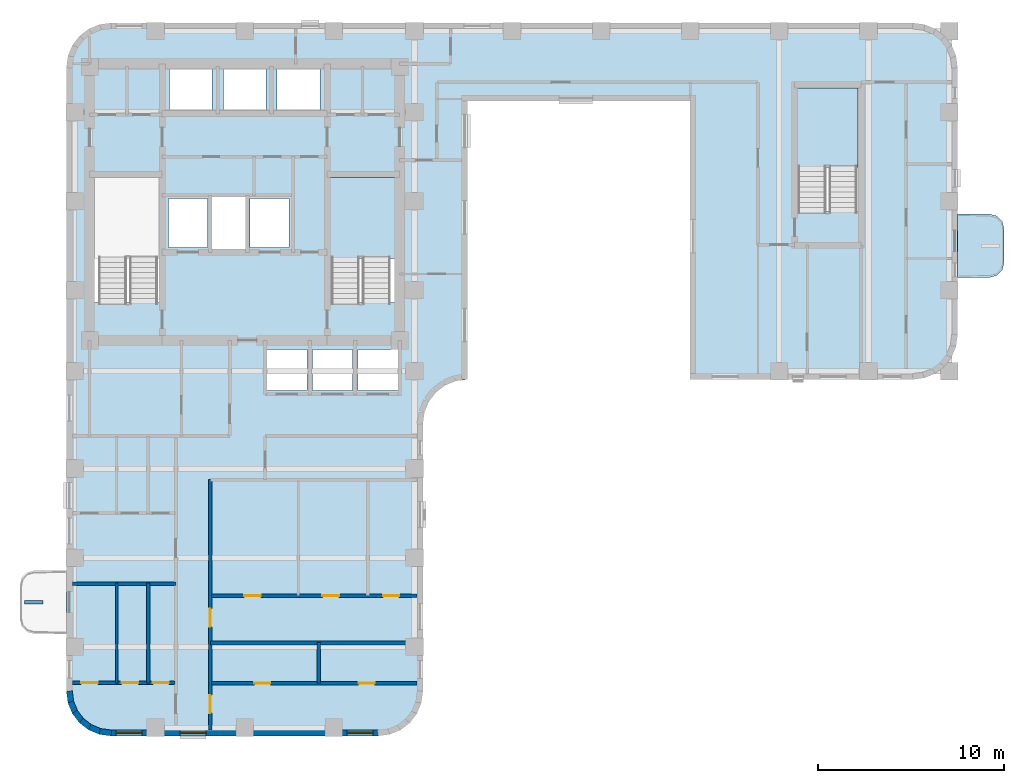
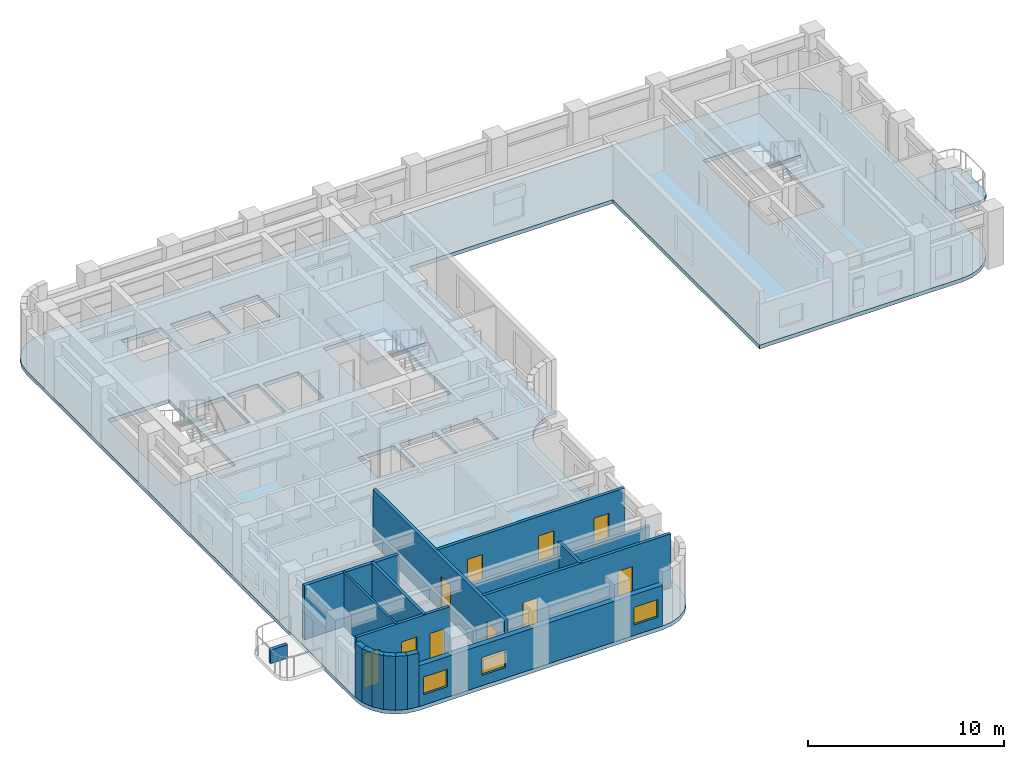
# One storey, part 2 of 10: 17 walls, 10 doors, 4 slabs, 3 windows, 13 openings, 2 elements without a shape of their own.
"""IFC4 building model written with IfcOpenShell, lengths in metres."""

from ifc_helpers import new_model, si_unit, direction, frame, frame_2d, origin, place, context, subcontext, project, spatial, polyline, rectangle, outline, extrude, material, layer, layer_set, type_object, element, fill, aggregate, save


model = new_model("IFC4")

# Units and contexts
model_context = context("Model", 3, precision=1e-05, world=origin(), true_north=direction((0.0, 1.0)))
body_context = subcontext(model_context, "Body", "Model", "MODEL_VIEW")
ifc_project = project(units=[si_unit("LENGTHUNIT", "METRE"), si_unit("AREAUNIT", "SQUARE_METRE"), si_unit("VOLUMEUNIT", "CUBIC_METRE"), si_unit("PLANEANGLEUNIT", "RADIAN"), si_unit("MASSUNIT", "GRAM", prefix="KILO")], contexts=[model_context])

# Site, building, storey
site_placement = place(None, origin())
site = spatial("IfcSite", under=ifc_project, at=site_placement, CompositionType="ELEMENT")
building_placement = place(site_placement, origin())
building = spatial("IfcBuilding", under=site, at=building_placement, Name="Orvandelia Arch Residences", CompositionType="ELEMENT")
storey_placement = place(building_placement, frame((0.0, 0.0, 179.199951171875)))
storey = spatial("IfcBuildingStorey", under=building, at=storey_placement, Name="L47", CompositionType="ELEMENT", Elevation=179.199951171875)

# Slab
ifc_material_1 = material(Name="Precast concrete C40/50", Category="concrete")
ifc_layer_1 = layer(ifc_material_1, 0.219970703125, Name="Precast concrete C40/50", Category="concrete")
ifc_layer_set_1 = layer_set([ifc_layer_1], Name="Precast concrete C40/50")
slab_type_1 = type_object("IfcSlabType", Name="SLB-BAL-220", PredefinedType="USERDEFINED", material=ifc_layer_set_1)
slab_1_placement = place(storey_placement, frame((0.0, 0.0, -0.219970703125)))
element("IfcSlab", 1, at=slab_1_placement, inside=storey, type_object=slab_type_1, Name="Tree Balcony Cantilever Slab BAL-L47-E1", ObjectType="BALCONY", PredefinedType="USERDEFINED", context=body_context, shape_type="SweptSolid", body=[
    extrude(outline(polyline([(52.800048828125, 37.699951171875), (52.800048828125, 34.300048828125), (54.550048828125, 34.300048828125), (54.925048828125, 34.400390625), (55.199462890625, 34.675048828125), (55.300048828125, 35.050048828125), (55.300048828125, 36.949951171875), (55.199462890625, 37.324951171875), (54.925048828125, 37.599609375), (54.550048828125, 37.699951171875), (52.800048828125, 37.699951171875)])), origin(), (0.0, 0.0, 1.0), 0.219970703125),
])

# Stair, slab
ifc_material_2 = material(Name="Concrete C40/50", Category="concrete")
stair_type = type_object("IfcStairType", Name="STAIR-RC-DOGLEG", PredefinedType="HALF_TURN_STAIR", material=ifc_material_2)
stair_1_placement = place(storey_placement, origin())
stair_1 = element("IfcStair", 2, at=stair_1_placement, inside=storey, type_object=stair_type, Name="L47 Protected Exit Stair ST-2", PredefinedType="HALF_TURN_STAIR")
ifc_layer_2 = layer(ifc_material_2, 0.219970703125, Name="Concrete C40/50", Category="concrete")
ifc_layer_set_2 = layer_set([ifc_layer_2], Name="Concrete C40/50")
slab_type_2 = type_object("IfcSlabType", Name="SLB-LANDING-220", PredefinedType="LANDING", material=ifc_layer_set_2)
slab_2_placement = place(storey_placement, frame((0.0, 0.0, 1.60009765625)))
slab_2 = element("IfcSlab", 3, at=slab_2_placement, type_object=slab_type_2, Name="ST-2 landing 1", PredefinedType="LANDING", context=body_context, shape_type="SweptSolid", body=[
    extrude(outline(polyline([(22.5400390625, 35.31005859375), (22.5400390625, 39.68994140625), (19.0, 39.68994140625), (19.0, 35.31005859375), (22.5400390625, 35.31005859375)])), origin(), (0.0, 0.0, 1.0), 0.199951171875),
])
aggregate(stair_1, [slab_2])

stair_2_placement = place(storey_placement, origin())
stair_2 = element("IfcStair", 4, at=stair_2_placement, inside=storey, type_object=stair_type, Name="L47 East Wing Exit Stair ST-3", PredefinedType="HALF_TURN_STAIR")
slab_3_placement = place(storey_placement, frame((0.0, 0.0, 1.60009765625)))
slab_3 = element("IfcSlab", 5, at=slab_3_placement, type_object=slab_type_2, Name="ST-3 landing 1", PredefinedType="LANDING", context=body_context, shape_type="SweptSolid", body=[
    extrude(outline(polyline([(47.43994140625, 40.2099609375), (47.43994140625, 44.5), (44.179931640625, 44.5), (44.179931640625, 40.2099609375), (47.43994140625, 40.2099609375)])), origin(), (0.0, 0.0, 1.0), 0.199951171875),
])
aggregate(stair_2, [slab_3])

# Slab
ifc_layer_3 = layer(ifc_material_2, 0.239990234375, Name="Concrete C40/50", Category="concrete")
ifc_layer_set_3 = layer_set([ifc_layer_3], Name="Concrete C40/50")
slab_type_3 = type_object("IfcSlabType", Name="SLB-TWR-240", PredefinedType="FLOOR", material=ifc_layer_set_3)
slab_4_placement = place(storey_placement, frame((0.0, 0.0, -0.239990234375)))
element("IfcSlab", 6, at=slab_4_placement, inside=storey, type_object=slab_type_3, Name="Structural Floor Slab L47-1", PredefinedType="FLOOR", context=body_context, shape_type="SweptSolid", body=[
    extrude(outline(polyline([(4.800048828125, 12.0), (4.8818359375, 11.37890625), (5.12158203125, 10.800048828125), (5.5029296875, 10.302978515625), (6.0, 9.92138671875), (6.578857421875, 9.681884765625), (7.199951171875, 9.60009765625), (21.60009765625, 9.60009765625), (22.22119140625, 9.681884765625), (22.800048828125, 9.92138671875), (23.297119140625, 10.302978515625), (23.678466796875, 10.800048828125), (23.918212890625, 11.37890625), (24.0, 12.0), (24.0, 26.39990234375), (24.081787109375, 27.021240234375), (24.321533203125, 27.60009765625), (24.702880859375, 28.09716796875), (25.199951171875, 28.478515625), (25.77880859375, 28.71826171875), (26.39990234375, 28.800048828125), (26.39990234375, 43.800048828125), (38.39990234375, 43.800048828125), (38.39990234375, 28.800048828125), (50.39990234375, 28.800048828125), (51.021240234375, 28.8818359375), (51.60009765625, 29.12158203125), (52.09716796875, 29.5029296875), (52.478515625, 30.0), (52.71826171875, 30.578857421875), (52.800048828125, 31.199951171875), (52.800048828125, 45.60009765625), (52.71826171875, 46.22119140625), (52.478515625, 46.800048828125), (52.09716796875, 47.297119140625), (51.60009765625, 47.678466796875), (51.021240234375, 47.918212890625), (50.39990234375, 48.0), (7.199951171875, 48.0), (6.578857421875, 47.918212890625), (6.0, 47.678466796875), (5.5029296875, 47.297119140625), (5.12158203125, 46.800048828125), (4.8818359375, 46.22119140625), (4.800048828125, 45.60009765625), (4.800048828125, 12.0)]), holes=[polyline([(6.219970703125, 32.949951171875), (9.840087890625, 32.949951171875), (9.840087890625, 39.72998046875), (6.219970703125, 39.72998046875), (6.219970703125, 32.949951171875)]), polyline([(18.9599609375, 32.949951171875), (22.580078125, 32.949951171875), (22.580078125, 39.72998046875), (18.9599609375, 39.72998046875), (18.9599609375, 32.949951171875)]), polyline([(44.139892578125, 37.85009765625), (47.47998046875, 37.85009765625), (47.47998046875, 44.5400390625), (44.139892578125, 44.5400390625), (44.139892578125, 37.85009765625)]), polyline([(12.639892578125, 35.81005859375), (14.4599609375, 35.81005859375), (14.4599609375, 38.639892578125), (12.639892578125, 38.639892578125), (12.639892578125, 35.81005859375)]), polyline([(10.300048828125, 35.89990234375), (12.39990234375, 35.89990234375), (12.39990234375, 38.550048828125), (10.300048828125, 38.550048828125), (10.300048828125, 35.89990234375)]), polyline([(14.699951171875, 35.89990234375), (16.800048828125, 35.89990234375), (16.800048828125, 38.550048828125), (14.699951171875, 38.550048828125), (14.699951171875, 35.89990234375)]), polyline([(10.35009765625, 43.300048828125), (12.64990234375, 43.300048828125), (12.64990234375, 45.5), (10.35009765625, 45.5), (10.35009765625, 43.300048828125)]), polyline([(13.25, 43.300048828125), (15.550048828125, 43.300048828125), (15.550048828125, 45.5), (13.25, 45.5), (13.25, 43.300048828125)]), polyline([(16.14990234375, 43.300048828125), (18.449951171875, 43.300048828125), (18.449951171875, 45.5), (16.14990234375, 45.5), (16.14990234375, 43.300048828125)]), polyline([(15.60009765625, 28.199951171875), (17.75, 28.199951171875), (17.75, 30.39990234375), (15.60009765625, 30.39990234375), (15.60009765625, 28.199951171875)]), polyline([(18.050048828125, 28.199951171875), (20.199951171875, 28.199951171875), (20.199951171875, 30.39990234375), (18.050048828125, 30.39990234375), (18.050048828125, 28.199951171875)]), polyline([(20.5, 28.199951171875), (22.64990234375, 28.199951171875), (22.64990234375, 30.39990234375), (20.5, 30.39990234375), (20.5, 28.199951171875)])]), origin(), (0.0, 0.0, 1.0), 0.239990234375),
])

# Wall, openings, doors
ifc_material_3 = material(Name="Fire-Rated Corridor Partition")
ifc_layer_4 = layer(ifc_material_3, 0.199951171875, Name="Fire-Rated Corridor Partition")
ifc_layer_set_4 = layer_set([ifc_layer_4], Name="Fire-Rated Corridor Partition")
wall_type_1 = type_object("IfcWallType", Name="WL-CORR-200", PredefinedType="PARTITIONING", material=ifc_layer_set_4)
wall_1_placement = place(storey_placement, frame((12.550048828125, 9.919921875, 0.0), z_axis=(0.0, 0.0, 1.0), x_axis=(0.0, 1.0, 0.0)))
wall_1 = element("IfcWall", 7, at=wall_1_placement, inside=storey, type_object=wall_type_1, Name="Interior Partition Wall WL-L47-WC-E", PredefinedType="PARTITIONING", context=body_context, shape_type="SweptSolid", body=[
    extrude(rectangle(XDim=13.47998046875, YDim=0.199951171875, at=frame_2d((6.739990234375, 0.0))), origin(), (0.0, 0.0, 1.0), 3.360107421875),
])
opening_1_placement = place(wall_1_placement, frame((0.902099609375, 0.0, 0.0)))
opening_1 = element("IfcOpeningElement", 8, at=opening_1_placement, cuts=wall_1, Name="Opening D1", PredefinedType="OPENING", context=body_context, shape_type="SweptSolid", body=[
    extrude(rectangle(XDim=0.97998046875, YDim=2.179931640625, at=frame_2d((0.489990234375, 1.08984375))), frame((0.0, 0.10986328125, 0.0), z_axis=(0.0, -1.0, 0.0), x_axis=(1.0, 0.0, 0.0)), (0.0, 0.0, 1.0), 0.219970703125),
])
opening_2_placement = place(wall_1_placement, frame((5.549072265625, 0.0, 0.0)))
opening_2 = element("IfcOpeningElement", 9, at=opening_2_placement, cuts=wall_1, Name="Opening D1", PredefinedType="OPENING", context=body_context, shape_type="SweptSolid", body=[
    extrude(rectangle(XDim=0.97998046875, YDim=2.179931640625, at=frame_2d((0.489990234375, 1.08984375))), frame((0.0, 0.10986328125, 0.0), z_axis=(0.0, -1.0, 0.0), x_axis=(1.0, 0.0, 0.0)), (0.0, 0.0, 1.0), 0.219970703125),
])
ifc_material_4 = material(Name="Solid-Core Timber Acoustic Fire Door", Category="wood")
door_type_1 = type_object("IfcDoorType", Name="DR-ENT-980", OperationType="NOTDEFINED", PredefinedType="DOOR", material=ifc_material_4)
door_1_placement = place(opening_1_placement, origin())
door_1 = element("IfcDoor", 10, at=door_1_placement, inside=storey, type_object=door_type_1, Name="Unit L47-03 Entrance Door", OperationType="SINGLE_SWING_LEFT", OverallHeight=2.179931640625, OverallWidth=0.97998046875, PredefinedType="DOOR", context=body_context, shape_type="SweptSolid", body=[
    extrude(rectangle(XDim=0.97998046875, YDim=2.179931640625, at=frame_2d((0.489990234375, 1.08984375))), frame((0.0, 0.02490234375, 0.0), z_axis=(0.0, -1.0, 0.0), x_axis=(1.0, 0.0, 0.0)), (0.0, 0.0, 1.0), 0.050048828125),
])
fill(opening_1, door_1)
door_2_placement = place(opening_2_placement, origin())
door_2 = element("IfcDoor", 11, at=door_2_placement, inside=storey, type_object=door_type_1, Name="Unit L47-04 Entrance Door", OperationType="SINGLE_SWING_RIGHT", OverallHeight=2.179931640625, OverallWidth=0.97998046875, PredefinedType="DOOR", context=body_context, shape_type="SweptSolid", body=[
    extrude(rectangle(XDim=0.97998046875, YDim=2.179931640625, at=frame_2d((0.489990234375, 1.08984375))), frame((0.0, 0.02490234375, 0.0), z_axis=(0.0, -1.0, 0.0), x_axis=(1.0, 0.0, 0.0)), (0.0, 0.0, 1.0), 0.050048828125),
])
fill(opening_2, door_2)

# Walls
ifc_layer_5 = layer(ifc_material_2, 0.199951171875, Name="Concrete C40/50", Category="concrete")
ifc_layer_set_5 = layer_set([ifc_layer_5], Name="Concrete C40/50")
wall_type_2 = type_object("IfcWallType", Name="WL-DEM-200", PredefinedType="SOLIDWALL", material=ifc_layer_set_5)
wall_2_placement = place(storey_placement, frame((5.1201171875, 17.800048828125, 0.0), z_axis=(0.0, 0.0, 1.0), x_axis=(1.0, 0.0, 0.0)))
element("IfcWall", 12, at=wall_2_placement, inside=storey, type_object=wall_type_2, Name="Interior Partition Wall WL-L47-DEM-WL-178", PredefinedType="SOLIDWALL", context=body_context, shape_type="SweptSolid", body=[
    extrude(rectangle(XDim=5.579833984375, YDim=0.199951171875, at=frame_2d((2.7900390625, 0.0))), origin(), (0.0, 0.0, 1.0), 3.360107421875),
])
wall_3_placement = place(storey_placement, frame((12.550048828125, 14.60009765625, 0.0), z_axis=(0.0, 0.0, 1.0), x_axis=(1.0, 0.0, 0.0)))
element("IfcWall", 13, at=wall_3_placement, inside=storey, type_object=wall_type_2, Name="Interior Partition Wall WL-L47-DEM-WR-146", PredefinedType="SOLIDWALL", context=body_context, shape_type="SweptSolid", body=[
    extrude(rectangle(XDim=11.1298828125, YDim=0.199951171875, at=frame_2d((5.56494140625, 0.0))), origin(), (0.0, 0.0, 1.0), 2.5400390625),
])

# Wall, openings, windows
ifc_layer_6 = layer(ifc_material_1, 0.320068359375, Name="Precast concrete C40/50", Category="concrete")
ifc_layer_set_6 = layer_set([ifc_layer_6], Name="Precast concrete C40/50")
wall_type_3 = type_object("IfcWallType", Name="WL-EXT-STONE-320", PredefinedType="STANDARD", material=ifc_layer_set_6)
wall_4_placement = place(storey_placement, frame((21.60009765625, 9.760009765625, 0.0), z_axis=(0.0, 0.0, 1.0), x_axis=(-1.0, 0.0, 0.0)))
wall_4 = element("IfcWall", 14, at=wall_4_placement, inside=storey, type_object=wall_type_3, Name="Coral-Limestone Precast Facade Wall L47-038", PredefinedType="STANDARD", context=body_context, shape_type="SweptSolid", body=[
    extrude(rectangle(XDim=14.400146484375, YDim=0.320068359375, at=frame_2d((7.2001953125, 0.0))), origin(), (0.0, 0.0, 1.0), 2.5400390625),
])
opening_3_placement = place(wall_4_placement, frame((0.282470703125, 0.0, 0.64990234375)))
opening_3 = element("IfcOpeningElement", 15, at=opening_3_placement, cuts=wall_4, Name="Opening W10", PredefinedType="OPENING", context=body_context, shape_type="SweptSolid", body=[
    extrude(rectangle(XDim=1.39990234375, YDim=1.10009765625, at=frame_2d((0.699951171875, 0.550048828125))), frame((0.0, 0.169921875, 0.0), z_axis=(0.0, -1.0, 0.0), x_axis=(1.0, 0.0, 0.0)), (0.0, 0.0, 1.0), 0.340087890625),
])
opening_4_placement = place(wall_4_placement, frame((9.27490234375, 0.0, 0.64990234375)))
opening_4 = element("IfcOpeningElement", 16, at=opening_4_placement, cuts=wall_4, Name="Opening W10", PredefinedType="OPENING", context=body_context, shape_type="SweptSolid", body=[
    extrude(rectangle(XDim=1.39990234375, YDim=1.10009765625, at=frame_2d((0.699951171875, 0.550048828125))), frame((0.0, 0.169921875, 0.0), z_axis=(0.0, -1.0, 0.0), x_axis=(1.0, 0.0, 0.0)), (0.0, 0.0, 1.0), 0.340087890625),
])
opening_5_placement = place(wall_4_placement, frame((12.717529296875, 0.0, 0.64990234375)))
opening_5 = element("IfcOpeningElement", 17, at=opening_5_placement, cuts=wall_4, Name="Opening W10", PredefinedType="OPENING", context=body_context, shape_type="SweptSolid", body=[
    extrude(rectangle(XDim=1.39990234375, YDim=1.10009765625, at=frame_2d((0.699951171875, 0.550048828125))), frame((0.0, 0.169921875, 0.0), z_axis=(0.0, -1.0, 0.0), x_axis=(1.0, 0.0, 0.0)), (0.0, 0.0, 1.0), 0.340087890625),
])
ifc_material_5 = material(Name="Tempered Low-E Insulated Glazing", Category="glass")
window_type = type_object("IfcWindowType", Name="WIN-CLR-1400x1100", PartitioningType="SINGLE_PANEL", PredefinedType="WINDOW", material=ifc_material_5)
window_1_placement = place(opening_3_placement, origin())
window_1 = element("IfcWindow", 18, at=window_1_placement, inside=storey, type_object=window_type, Name="Recessed Punched Window L47-020", OverallHeight=1.10009765625, OverallWidth=1.39990234375, PartitioningType="SINGLE_PANEL", PredefinedType="WINDOW", context=body_context, shape_type="SweptSolid", body=[
    extrude(rectangle(XDim=1.39990234375, YDim=1.10009765625, at=frame_2d((0.699951171875, 0.550048828125))), frame((0.0, 0.030029296875, 0.0), z_axis=(0.0, -1.0, 0.0), x_axis=(1.0, 0.0, 0.0)), (0.0, 0.0, 1.0), 0.06005859375),
])
fill(opening_3, window_1)
window_2_placement = place(opening_4_placement, origin())
window_2 = element("IfcWindow", 19, at=window_2_placement, inside=storey, type_object=window_type, Name="Recessed Punched Window L47-021", OverallHeight=1.10009765625, OverallWidth=1.39990234375, PartitioningType="SINGLE_PANEL", PredefinedType="WINDOW", context=body_context, shape_type="SweptSolid", body=[
    extrude(rectangle(XDim=1.39990234375, YDim=1.10009765625, at=frame_2d((0.699951171875, 0.550048828125))), frame((0.0, 0.030029296875, 0.0), z_axis=(0.0, -1.0, 0.0), x_axis=(1.0, 0.0, 0.0)), (0.0, 0.0, 1.0), 0.06005859375),
])
fill(opening_4, window_2)
window_3_placement = place(opening_5_placement, origin())
window_3 = element("IfcWindow", 20, at=window_3_placement, inside=storey, type_object=window_type, Name="Recessed Punched Window L47-022", OverallHeight=1.10009765625, OverallWidth=1.39990234375, PartitioningType="SINGLE_PANEL", PredefinedType="WINDOW", context=body_context, shape_type="SweptSolid", body=[
    extrude(rectangle(XDim=1.39990234375, YDim=1.10009765625, at=frame_2d((0.699951171875, 0.550048828125))), frame((0.0, 0.030029296875, 0.0), z_axis=(0.0, -1.0, 0.0), x_axis=(1.0, 0.0, 0.0)), (0.0, 0.0, 1.0), 0.06005859375),
])
fill(opening_5, window_3)

# Walls
wall_5_placement = place(storey_placement, frame((7.220947265625, 9.758544921875, 0.0), z_axis=(0.0, 0.0, 1.0), x_axis=(-0.991447664465, 0.130504898859, 0.0)))
element("IfcWall", 21, at=wall_5_placement, inside=storey, type_object=wall_type_3, Name="Coral-Limestone Precast Facade Wall L47-039", PredefinedType="STANDARD", context=body_context, shape_type="SweptSolid", body=[
    extrude(rectangle(XDim=0.626708984375, YDim=0.320068359375, at=frame_2d((0.3134765625, 0.0))), origin(), (0.0, 0.0, 1.0), 3.360107421875),
])
wall_6_placement = place(storey_placement, frame((6.639892578125, 9.82958984375, 0.0), z_axis=(0.0, 0.0, 1.0), x_axis=(-0.923836271867, 0.382787856107, 0.0)))
element("IfcWall", 22, at=wall_6_placement, inside=storey, type_object=wall_type_3, Name="Coral-Limestone Precast Facade Wall L47-040", PredefinedType="STANDARD", context=body_context, shape_type="SweptSolid", body=[
    extrude(rectangle(XDim=0.626220703125, YDim=0.320068359375, at=frame_2d((0.31298828125, 0.0))), origin(), (0.0, 0.0, 1.0), 3.360107421875),
])
wall_7_placement = place(storey_placement, frame((6.097412109375, 10.04833984375, 0.0), z_axis=(0.0, 0.0, 1.0), x_axis=(-0.793405610854, 0.608693302629, 0.0)))
element("IfcWall", 23, at=wall_7_placement, inside=storey, type_object=wall_type_3, Name="Coral-Limestone Precast Facade Wall L47-041", PredefinedType="STANDARD", context=body_context, shape_type="SweptSolid", body=[
    extrude(rectangle(XDim=0.62646484375, YDim=0.320068359375, at=frame_2d((0.313232421875, 0.0))), origin(), (0.0, 0.0, 1.0), 3.360107421875),
])
wall_8_placement = place(storey_placement, frame((5.6298828125, 10.400390625, 0.0), z_axis=(0.0, 0.0, 1.0), x_axis=(-0.608938521285, 0.7932174212, 0.0)))
element("IfcWall", 24, at=wall_8_placement, inside=storey, type_object=wall_type_3, Name="Coral-Limestone Precast Facade Wall L47-042", PredefinedType="STANDARD", context=body_context, shape_type="SweptSolid", body=[
    extrude(rectangle(XDim=0.626708984375, YDim=0.320068359375, at=frame_2d((0.3134765625, 0.0))), origin(), (0.0, 0.0, 1.0), 3.360107421875),
])
wall_9_placement = place(storey_placement, frame((5.269287109375, 10.861083984375, 0.0), z_axis=(0.0, 0.0, 1.0), x_axis=(-0.382650053678, 0.92389335771, 0.0)))
element("IfcWall", 25, at=wall_9_placement, inside=storey, type_object=wall_type_3, Name="Coral-Limestone Precast Facade Wall L47-043", PredefinedType="STANDARD", context=body_context, shape_type="SweptSolid", body=[
    extrude(rectangle(XDim=0.62646484375, YDim=0.320068359375, at=frame_2d((0.313232421875, 0.0))), origin(), (0.0, 0.0, 1.0), 3.360107421875),
])
wall_10_placement = place(storey_placement, frame((5.040283203125, 11.399658203125, 0.0), z_axis=(0.0, 0.0, 1.0), x_axis=(-0.130504898859, 0.991447664465, 0.0)))
element("IfcWall", 26, at=wall_10_placement, inside=storey, type_object=wall_type_3, Name="Coral-Limestone Precast Facade Wall L47-044", PredefinedType="STANDARD", context=body_context, shape_type="SweptSolid", body=[
    extrude(rectangle(XDim=0.626708984375, YDim=0.320068359375, at=frame_2d((0.3134765625, 0.0))), origin(), (0.0, 0.0, 1.0), 3.360107421875),
])
ifc_material_6 = material(Name="Lightweight Gypsum Stud Partition")
ifc_layer_7 = layer(ifc_material_6, 0.1201171875, Name="Lightweight Gypsum Stud Partition")
ifc_layer_set_7 = layer_set([ifc_layer_7], Name="Lightweight Gypsum Stud Partition")
wall_type_4 = type_object("IfcWallType", Name="WL-PART-120", PredefinedType="PARTITIONING", material=ifc_layer_set_7)
wall_11_placement = place(storey_placement, frame((7.514892578125, 12.4619140625, 0.0), z_axis=(0.0, 0.0, 1.0), x_axis=(0.0, 1.0, 0.0)))
element("IfcWall", 27, at=wall_11_placement, inside=storey, type_object=wall_type_4, Name="Interior Partition Wall WL-L47-U01-V1", PredefinedType="PARTITIONING", context=body_context, shape_type="SweptSolid", body=[
    extrude(rectangle(XDim=5.378173828125, YDim=0.1201171875, at=frame_2d((2.68896484375, 0.0))), origin(), (0.0, 0.0, 1.0), 3.360107421875),
])
ifc_layer_8 = layer(ifc_material_1, 0.199951171875, Name="Precast concrete C40/50", Category="concrete")
ifc_layer_set_8 = layer_set([ifc_layer_8], Name="Precast concrete C40/50")
wall_type_5 = type_object("IfcWallType", Name="WL-PLANTER-200", PredefinedType="MOVABLE", material=ifc_layer_set_8)
wall_12_placement = place(storey_placement, frame((2.550048828125, 16.800048828125, 0.0), z_axis=(0.0, 0.0, 1.0), x_axis=(1.0, 0.0, 0.0)))
element("IfcWall", 28, at=wall_12_placement, inside=storey, type_object=wall_type_5, Name="Balcony Precast Tree Planter BAL-L47-W1", PredefinedType="MOVABLE", context=body_context, shape_type="SweptSolid", body=[
    extrude(rectangle(XDim=1.0, YDim=0.199951171875, at=frame_2d((0.5, 0.0))), origin(), (0.0, 0.0, 1.0), 0.85009765625),
])

# Wall, openings, doors
ifc_material_7 = material(Name="Moisture-Resistant Plumbing Wall")
ifc_layer_9 = layer(ifc_material_7, 0.179931640625, Name="Moisture-Resistant Plumbing Wall")
ifc_layer_set_9 = layer_set([ifc_layer_9], Name="Moisture-Resistant Plumbing Wall")
wall_type_6 = type_object("IfcWallType", Name="WL-WET-180", PredefinedType="PLUMBINGWALL", material=ifc_layer_set_9)
wall_13_placement = place(storey_placement, frame((5.1201171875, 12.4619140625, 0.0), z_axis=(0.0, 0.0, 1.0), x_axis=(1.0, 0.0, 0.0)))
wall_13 = element("IfcWall", 29, at=wall_13_placement, inside=storey, type_object=wall_type_6, Name="Interior Partition Wall WL-L47-U01-HZ", PredefinedType="PLUMBINGWALL", context=body_context, shape_type="SweptSolid", body=[
    extrude(rectangle(XDim=5.519775390625, YDim=0.179931640625, at=frame_2d((2.759765625, 0.0))), origin(), (0.0, 0.0, 1.0), 3.360107421875),
])
opening_6_placement = place(wall_13_placement, frame((0.47216796875, 0.0, 0.0)))
opening_6 = element("IfcOpeningElement", 30, at=opening_6_placement, cuts=wall_13, Name="Opening D3", PredefinedType="OPENING", context=body_context, shape_type="SweptSolid", body=[
    extrude(rectangle(XDim=0.89990234375, YDim=2.14990234375, at=frame_2d((0.449951171875, 1.074951171875))), frame((0.0, 0.10009765625, 0.0), z_axis=(0.0, -1.0, 0.0), x_axis=(1.0, 0.0, 0.0)), (0.0, 0.0, 1.0), 0.199951171875),
])
opening_7_placement = place(wall_13_placement, frame((2.655029296875, 0.0, 0.0)))
opening_7 = element("IfcOpeningElement", 31, at=opening_7_placement, cuts=wall_13, Name="Opening D3", PredefinedType="OPENING", context=body_context, shape_type="SweptSolid", body=[
    extrude(rectangle(XDim=0.89990234375, YDim=2.14990234375, at=frame_2d((0.449951171875, 1.074951171875))), frame((0.0, 0.10009765625, 0.0), z_axis=(0.0, -1.0, 0.0), x_axis=(1.0, 0.0, 0.0)), (0.0, 0.0, 1.0), 0.199951171875),
])
opening_8_placement = place(wall_13_placement, frame((4.342041015625, 0.0, 0.0)))
opening_8 = element("IfcOpeningElement", 32, at=opening_8_placement, cuts=wall_13, Name="Opening D4", PredefinedType="OPENING", context=body_context, shape_type="SweptSolid", body=[
    extrude(rectangle(XDim=0.860107421875, YDim=2.10009765625, at=frame_2d((0.43017578125, 1.050048828125))), frame((0.0, 0.10009765625, 0.0), z_axis=(0.0, -1.0, 0.0), x_axis=(1.0, 0.0, 0.0)), (0.0, 0.0, 1.0), 0.199951171875),
])
ifc_material_8 = material(Name="Engineered Timber Flush Door", Category="wood")
door_type_2 = type_object("IfcDoorType", Name="DR-INT-900", OperationType="NOTDEFINED", PredefinedType="DOOR", material=ifc_material_8)
door_3_placement = place(opening_6_placement, origin())
door_3 = element("IfcDoor", 33, at=door_3_placement, inside=storey, type_object=door_type_2, Name="DR-L47-U01-BD1", OperationType="SINGLE_SWING_LEFT", OverallHeight=2.14990234375, OverallWidth=0.89990234375, PredefinedType="DOOR", context=body_context, shape_type="SweptSolid", body=[
    extrude(rectangle(XDim=0.89990234375, YDim=2.14990234375, at=frame_2d((0.449951171875, 1.074951171875))), frame((0.0, 0.02490234375, 0.0), z_axis=(0.0, -1.0, 0.0), x_axis=(1.0, 0.0, 0.0)), (0.0, 0.0, 1.0), 0.050048828125),
])
fill(opening_6, door_3)
door_4_placement = place(opening_7_placement, origin())
door_4 = element("IfcDoor", 34, at=door_4_placement, inside=storey, type_object=door_type_2, Name="DR-L47-U01-KIT", OperationType="SINGLE_SWING_RIGHT", OverallHeight=2.14990234375, OverallWidth=0.89990234375, PredefinedType="DOOR", context=body_context, shape_type="SweptSolid", body=[
    extrude(rectangle(XDim=0.89990234375, YDim=2.14990234375, at=frame_2d((0.449951171875, 1.074951171875))), frame((0.0, 0.02490234375, 0.0), z_axis=(0.0, -1.0, 0.0), x_axis=(1.0, 0.0, 0.0)), (0.0, 0.0, 1.0), 0.050048828125),
])
fill(opening_7, door_4)
ifc_material_9 = material(Name="Moisture-Sealed Timber Bathroom Door", Category="wood")
door_type_3 = type_object("IfcDoorType", Name="DR-WET-900", OperationType="NOTDEFINED", PredefinedType="DOOR", material=ifc_material_9)
door_5_placement = place(opening_8_placement, origin())
door_5 = element("IfcDoor", 35, at=door_5_placement, inside=storey, type_object=door_type_3, Name="DR-L47-U01-BTH", OperationType="SINGLE_SWING_LEFT", OverallHeight=2.10009765625, OverallWidth=0.860107421875, PredefinedType="DOOR", context=body_context, shape_type="SweptSolid", body=[
    extrude(rectangle(XDim=0.860107421875, YDim=2.10009765625, at=frame_2d((0.43017578125, 1.050048828125))), frame((0.0, 0.02490234375, 0.0), z_axis=(0.0, -1.0, 0.0), x_axis=(1.0, 0.0, 0.0)), (0.0, 0.0, 1.0), 0.050048828125),
])
fill(opening_8, door_5)

# Wall
wall_14_placement = place(storey_placement, frame((9.201904296875, 12.4619140625, 0.0), z_axis=(0.0, 0.0, 1.0), x_axis=(0.0, 1.0, 0.0)))
element("IfcWall", 36, at=wall_14_placement, inside=storey, type_object=wall_type_6, Name="Interior Partition Wall WL-L47-U01-V2", PredefinedType="PLUMBINGWALL", context=body_context, shape_type="SweptSolid", body=[
    extrude(rectangle(XDim=5.378173828125, YDim=0.179931640625, at=frame_2d((2.68896484375, 0.0))), origin(), (0.0, 0.0, 1.0), 3.360107421875),
])

# Wall, openings, doors
wall_15_placement = place(storey_placement, frame((12.610107421875, 12.444091796875, 0.0), z_axis=(0.0, 0.0, 1.0), x_axis=(1.0, 0.0, 0.0)))
wall_15 = element("IfcWall", 37, at=wall_15_placement, inside=storey, type_object=wall_type_6, Name="Interior Partition Wall WL-L47-U03-HZ", PredefinedType="PLUMBINGWALL", context=body_context, shape_type="SweptSolid", body=[
    extrude(rectangle(XDim=11.06982421875, YDim=0.179931640625, at=frame_2d((5.534912109375, 0.0))), origin(), (0.0, 0.0, 1.0), 3.360107421875),
])
opening_9_placement = place(wall_15_placement, frame((2.319091796875, 0.0, 0.0)))
opening_9 = element("IfcOpeningElement", 38, at=opening_9_placement, cuts=wall_15, Name="Opening D4", PredefinedType="OPENING", context=body_context, shape_type="SweptSolid", body=[
    extrude(rectangle(XDim=0.860107421875, YDim=2.10009765625, at=frame_2d((0.43017578125, 1.050048828125))), frame((0.0, 0.10009765625, 0.0), z_axis=(0.0, -1.0, 0.0), x_axis=(1.0, 0.0, 0.0)), (0.0, 0.0, 1.0), 0.199951171875),
])
opening_10_placement = place(wall_15_placement, frame((7.93408203125, 0.0, 0.0)))
opening_10 = element("IfcOpeningElement", 39, at=opening_10_placement, cuts=wall_15, Name="Opening D4", PredefinedType="OPENING", context=body_context, shape_type="SweptSolid", body=[
    extrude(rectangle(XDim=0.860107421875, YDim=2.10009765625, at=frame_2d((0.43017578125, 1.050048828125))), frame((0.0, 0.10009765625, 0.0), z_axis=(0.0, -1.0, 0.0), x_axis=(1.0, 0.0, 0.0)), (0.0, 0.0, 1.0), 0.199951171875),
])
door_6_placement = place(opening_9_placement, origin())
door_6 = element("IfcDoor", 40, at=door_6_placement, inside=storey, type_object=door_type_3, Name="DR-L47-U03-KIT", OperationType="SINGLE_SWING_LEFT", OverallHeight=2.10009765625, OverallWidth=0.860107421875, PredefinedType="DOOR", context=body_context, shape_type="SweptSolid", body=[
    extrude(rectangle(XDim=0.860107421875, YDim=2.10009765625, at=frame_2d((0.43017578125, 1.050048828125))), frame((0.0, 0.02490234375, 0.0), z_axis=(0.0, -1.0, 0.0), x_axis=(1.0, 0.0, 0.0)), (0.0, 0.0, 1.0), 0.050048828125),
])
fill(opening_9, door_6)
door_7_placement = place(opening_10_placement, origin())
door_7 = element("IfcDoor", 41, at=door_7_placement, inside=storey, type_object=door_type_3, Name="DR-L47-U03-BTH", OperationType="SINGLE_SWING_RIGHT", OverallHeight=2.10009765625, OverallWidth=0.860107421875, PredefinedType="DOOR", context=body_context, shape_type="SweptSolid", body=[
    extrude(rectangle(XDim=0.860107421875, YDim=2.10009765625, at=frame_2d((0.43017578125, 1.050048828125))), frame((0.0, 0.02490234375, 0.0), z_axis=(0.0, -1.0, 0.0), x_axis=(1.0, 0.0, 0.0)), (0.0, 0.0, 1.0), 0.050048828125),
])
fill(opening_10, door_7)

# Wall
wall_16_placement = place(storey_placement, frame((18.39794921875, 12.444091796875, 0.0), z_axis=(0.0, 0.0, 1.0), x_axis=(0.0, 1.0, 0.0)))
element("IfcWall", 42, at=wall_16_placement, inside=storey, type_object=wall_type_6, Name="Interior Partition Wall WL-L47-U03-V1", PredefinedType="PLUMBINGWALL", context=body_context, shape_type="SweptSolid", body=[
    extrude(rectangle(XDim=2.19580078125, YDim=0.179931640625, at=frame_2d((1.097900390625, 0.0))), origin(), (0.0, 0.0, 1.0), 3.360107421875),
])

# Wall, openings, doors
wall_17_placement = place(storey_placement, frame((12.610107421875, 17.153076171875, 0.0), z_axis=(0.0, 0.0, 1.0), x_axis=(1.0, 0.0, 0.0)))
wall_17 = element("IfcWall", 43, at=wall_17_placement, inside=storey, type_object=wall_type_6, Name="Interior Partition Wall WL-L47-U04-HZ", PredefinedType="PLUMBINGWALL", context=body_context, shape_type="SweptSolid", body=[
    extrude(rectangle(XDim=11.06982421875, YDim=0.179931640625, at=frame_2d((5.534912109375, 0.0))), origin(), (0.0, 0.0, 1.0), 3.360107421875),
])
opening_11_placement = place(wall_17_placement, frame((1.762451171875, 0.0, 0.0)))
opening_11 = element("IfcOpeningElement", 44, at=opening_11_placement, cuts=wall_17, Name="Opening D3", PredefinedType="OPENING", context=body_context, shape_type="SweptSolid", body=[
    extrude(rectangle(XDim=0.89990234375, YDim=2.14990234375, at=frame_2d((0.449951171875, 1.074951171875))), frame((0.0, 0.10009765625, 0.0), z_axis=(0.0, -1.0, 0.0), x_axis=(1.0, 0.0, 0.0)), (0.0, 0.0, 1.0), 0.199951171875),
])
opening_12_placement = place(wall_17_placement, frame((5.9765625, 0.0, 0.0)))
opening_12 = element("IfcOpeningElement", 45, at=opening_12_placement, cuts=wall_17, Name="Opening D3", PredefinedType="OPENING", context=body_context, shape_type="SweptSolid", body=[
    extrude(rectangle(XDim=0.89990234375, YDim=2.14990234375, at=frame_2d((0.449951171875, 1.074951171875))), frame((0.0, 0.10009765625, 0.0), z_axis=(0.0, -1.0, 0.0), x_axis=(1.0, 0.0, 0.0)), (0.0, 0.0, 1.0), 0.199951171875),
])
opening_13_placement = place(wall_17_placement, frame((9.25390625, 0.0, 0.0)))
opening_13 = element("IfcOpeningElement", 46, at=opening_13_placement, cuts=wall_17, Name="Opening D4", PredefinedType="OPENING", context=body_context, shape_type="SweptSolid", body=[
    extrude(rectangle(XDim=0.860107421875, YDim=2.10009765625, at=frame_2d((0.43017578125, 1.050048828125))), frame((0.0, 0.10009765625, 0.0), z_axis=(0.0, -1.0, 0.0), x_axis=(1.0, 0.0, 0.0)), (0.0, 0.0, 1.0), 0.199951171875),
])
door_8_placement = place(opening_11_placement, origin())
door_8 = element("IfcDoor", 47, at=door_8_placement, inside=storey, type_object=door_type_2, Name="DR-L47-U04-STDY", OperationType="SINGLE_SWING_RIGHT", OverallHeight=2.14990234375, OverallWidth=0.89990234375, PredefinedType="DOOR", context=body_context, shape_type="SweptSolid", body=[
    extrude(rectangle(XDim=0.89990234375, YDim=2.14990234375, at=frame_2d((0.449951171875, 1.074951171875))), frame((0.0, 0.02490234375, 0.0), z_axis=(0.0, -1.0, 0.0), x_axis=(1.0, 0.0, 0.0)), (0.0, 0.0, 1.0), 0.050048828125),
])
fill(opening_11, door_8)
door_9_placement = place(opening_12_placement, origin())
door_9 = element("IfcDoor", 48, at=door_9_placement, inside=storey, type_object=door_type_2, Name="DR-L47-U04-KIT", OperationType="SINGLE_SWING_LEFT", OverallHeight=2.14990234375, OverallWidth=0.89990234375, PredefinedType="DOOR", context=body_context, shape_type="SweptSolid", body=[
    extrude(rectangle(XDim=0.89990234375, YDim=2.14990234375, at=frame_2d((0.449951171875, 1.074951171875))), frame((0.0, 0.02490234375, 0.0), z_axis=(0.0, -1.0, 0.0), x_axis=(1.0, 0.0, 0.0)), (0.0, 0.0, 1.0), 0.050048828125),
])
fill(opening_12, door_9)
door_10_placement = place(opening_13_placement, origin())
door_10 = element("IfcDoor", 49, at=door_10_placement, inside=storey, type_object=door_type_3, Name="DR-L47-U04-BTH", OperationType="SINGLE_SWING_RIGHT", OverallHeight=2.10009765625, OverallWidth=0.860107421875, PredefinedType="DOOR", context=body_context, shape_type="SweptSolid", body=[
    extrude(rectangle(XDim=0.860107421875, YDim=2.10009765625, at=frame_2d((0.43017578125, 1.050048828125))), frame((0.0, 0.02490234375, 0.0), z_axis=(0.0, -1.0, 0.0), x_axis=(1.0, 0.0, 0.0)), (0.0, 0.0, 1.0), 0.050048828125),
])
fill(opening_13, door_10)

save(model, "model.ifc")
